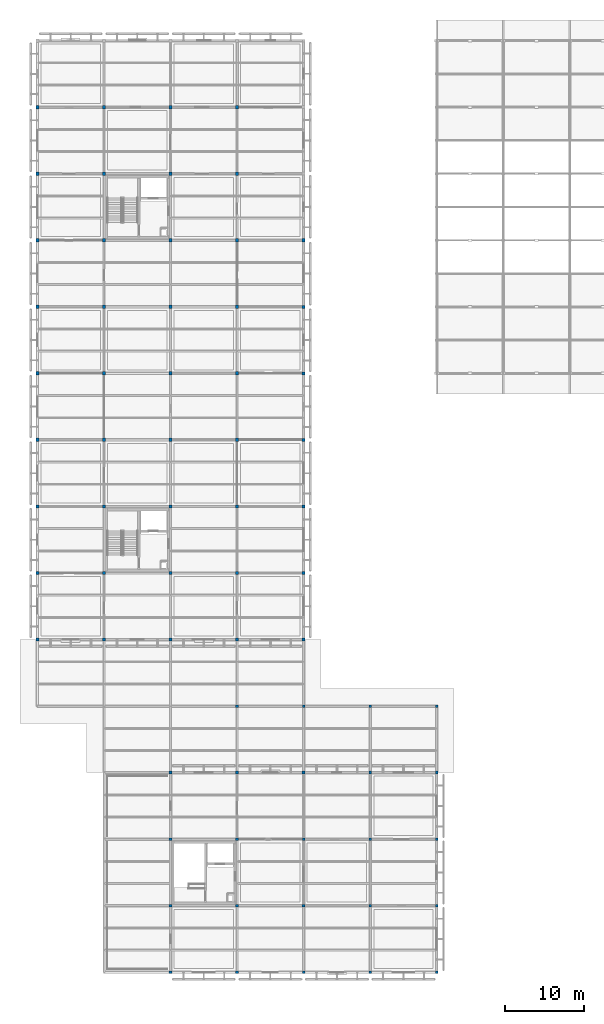
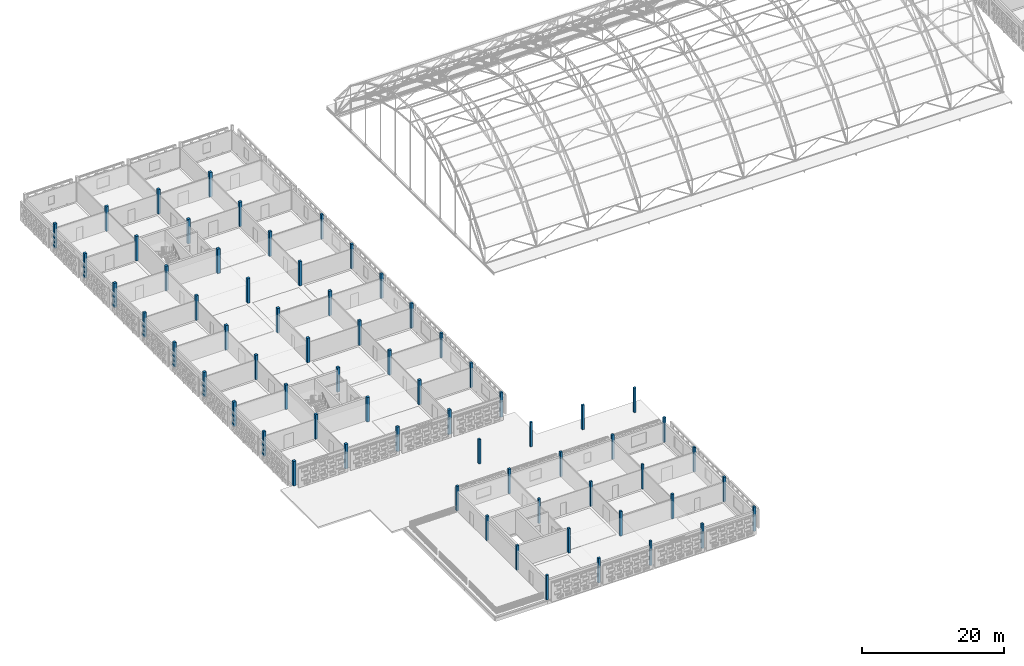
# One storey, part 1 of 103: 67 columns.
"""IFC4 building model written with IfcOpenShell, lengths in metres."""

from ifc_helpers import new_model, si_unit, direction, frame, origin, origin_2d, place, context, subcontext, project, spatial, rectangle, extrude, material, material_profile, profile_set, type_object, element, save


model = new_model("IFC4")

# Units and contexts
model_context = context("Model", 3, precision=1e-05, world=origin(), true_north=direction((0.0, 1.0)))
body_context = subcontext(model_context, "Body", "Model", "MODEL_VIEW")
ifc_project = project(units=[si_unit("LENGTHUNIT", "METRE"), si_unit("AREAUNIT", "SQUARE_METRE"), si_unit("VOLUMEUNIT", "CUBIC_METRE"), si_unit("PLANEANGLEUNIT", "RADIAN"), si_unit("MASSUNIT", "GRAM", prefix="KILO")], contexts=[model_context])

# Site, building, storey
site_placement = place(None, origin())
site = spatial("IfcSite", under=ifc_project, at=site_placement, CompositionType="ELEMENT")
building_placement = place(site_placement, origin())
building = spatial("IfcBuilding", under=site, at=building_placement, Name="Varnapada Polytechnic", CompositionType="ELEMENT")
storey_placement = place(building_placement, frame((0.0, 0.0, 18.0)))
storey = spatial("IfcBuildingStorey", under=building, at=storey_placement, Name="L04", CompositionType="ELEMENT", Elevation=18.0)

# Columns
ifc_material = material(Name="Glulam GL32h", Category="wood")
ifc_material_profile_1 = material_profile(ifc_material, rectangle(XDim=0.360107421875, YDim=0.360107421875, at=origin_2d()), Name="GL 360x360")
ifc_profile_set_1 = profile_set([ifc_material_profile_1], Name="Glulam GL32h")
column_type_1 = type_object("IfcColumnType", Name="Column C-14 (GL 360x360)", PredefinedType="COLUMN", material=ifc_profile_set_1)
for number, where, z_axis, x_axis, name in (
    (1, (16.800048828125, 16.800048828125, 0.0), (0.0, 0.0, 1.0), (1.0, 0.0, 0.0), "L04 column 3/3"),
    (2, (16.800048828125, 33.60009765625, 0.0), (0.0, 0.0, 1.0), (1.0, 0.0, 0.0), "L04 column 3/5"),
    (3, (25.199951171875, 16.800048828125, 0.0), (0.0, 0.0, 1.0), (1.0, 0.0, 0.0), "L04 column 4/3"),
    (4, (25.199951171875, 33.60009765625, 0.0), (0.0, 0.0, 1.0), (1.0, 0.0, 0.0), "L04 column 4/5"),
    (5, (33.60009765625, 16.800048828125, 0.0), (0.0, 0.0, 1.0), (1.0, 0.0, 0.0), "L04 column 5/3"),
    (6, (33.60009765625, 33.60009765625, 0.0), (0.0, 0.0, 1.0), (1.0, 0.0, 0.0), "L04 column 5/5"),
    (7, (33.60009765625, 50.39990234375, 0.0), (0.0, 0.0, 1.0), (1.0, 0.0, 0.0), "L04 column 5/7"),
    (8, (42.0, 16.800048828125, 0.0), (0.0, 0.0, 1.0), (1.0, 0.0, 0.0), "L04 column 6/3"),
    (9, (42.0, 33.60009765625, 0.0), (0.0, 0.0, 1.0), (1.0, 0.0, 0.0), "L04 column 6/5"),
    (10, (50.39990234375, 16.800048828125, 0.0), (0.0, 0.0, 1.0), (1.0, 0.0, 0.0), "L04 column 7/3"),
    (11, (50.39990234375, 33.60009765625, 0.0), (0.0, 0.0, 1.0), (1.0, 0.0, 0.0), "L04 column 7/5"),
):
    element("IfcColumn", number, at=place(storey_placement, frame(where, z_axis=z_axis, x_axis=x_axis)), inside=storey, type_object=column_type_1, Name=name, PredefinedType="COLUMN", context=body_context, shape_type="SweptSolid", body=[
        extrude(rectangle(XDim=0.360107421875, YDim=0.360107421875, at=origin_2d()), origin(), (0.0, 0.0, 1.0), 4.199951171875),
    ])
ifc_material_profile_2 = material_profile(ifc_material, rectangle(XDim=0.419921875, YDim=0.419921875, at=origin_2d()), Name="GL 420x420")
ifc_profile_set_2 = profile_set([ifc_material_profile_2], Name="Glulam GL32h")
column_type_2 = type_object("IfcColumnType", Name="Column C-23 (GL 420x420)", PredefinedType="COLUMN", material=ifc_profile_set_2)
for number, where, z_axis, x_axis, name in (
    (12, (0.0, 50.39990234375, 0.0), (0.0, 0.0, 1.0), (1.0, 0.0, 0.0), "L04 column 1/7"),
    (13, (0.0, 58.800048828125, 0.0), (0.0, 0.0, 1.0), (1.0, 0.0, 0.0), "L04 column 1/8"),
    (14, (0.0, 67.199951171875, 0.0), (0.0, 0.0, 1.0), (1.0, 0.0, 0.0), "L04 column 1/9"),
    (15, (0.0, 75.60009765625, 0.0), (0.0, 0.0, 1.0), (1.0, 0.0, 0.0), "L04 column 1/10"),
    (16, (0.0, 84.0, 0.0), (0.0, 0.0, 1.0), (1.0, 0.0, 0.0), "L04 column 1/11"),
    (17, (0.0, 92.39990234375, 0.0), (0.0, 0.0, 1.0), (1.0, 0.0, 0.0), "L04 column 1/12"),
    (18, (0.0, 100.800048828125, 0.0), (0.0, 0.0, 1.0), (1.0, 0.0, 0.0), "L04 column 1/13"),
    (19, (0.0, 109.199951171875, 0.0), (0.0, 0.0, 1.0), (1.0, 0.0, 0.0), "L04 column 1/14"),
    (20, (0.0, 117.60009765625, 0.0), (0.0, 0.0, 1.0), (1.0, 0.0, 0.0), "L04 column 1/15"),
    (21, (8.39990234375, 50.39990234375, 0.0), (0.0, 0.0, 1.0), (1.0, 0.0, 0.0), "L04 column 2/7"),
    (22, (8.39990234375, 58.800048828125, 0.0), (0.0, 0.0, 1.0), (1.0, 0.0, 0.0), "L04 column 2/8"),
    (23, (8.39990234375, 67.199951171875, 0.0), (0.0, 0.0, 1.0), (1.0, 0.0, 0.0), "L04 column 2/9"),
    (24, (8.39990234375, 75.60009765625, 0.0), (0.0, 0.0, 1.0), (1.0, 0.0, 0.0), "L04 column 2/10"),
    (25, (8.39990234375, 84.0, 0.0), (0.0, 0.0, 1.0), (1.0, 0.0, 0.0), "L04 column 2/11"),
    (26, (8.39990234375, 92.39990234375, 0.0), (0.0, 0.0, 1.0), (1.0, 0.0, 0.0), "L04 column 2/12"),
    (27, (8.39990234375, 100.800048828125, 0.0), (0.0, 0.0, 1.0), (1.0, 0.0, 0.0), "L04 column 2/13"),
    (28, (8.39990234375, 109.199951171875, 0.0), (0.0, 0.0, 1.0), (1.0, 0.0, 0.0), "L04 column 2/14"),
    (29, (8.39990234375, 117.60009765625, 0.0), (0.0, 0.0, 1.0), (1.0, 0.0, 0.0), "L04 column 2/15"),
    (30, (16.800048828125, 50.39990234375, 0.0), (0.0, 0.0, 1.0), (1.0, 0.0, 0.0), "L04 column 3/7"),
    (31, (16.800048828125, 58.800048828125, 0.0), (0.0, 0.0, 1.0), (1.0, 0.0, 0.0), "L04 column 3/8"),
    (32, (16.800048828125, 67.199951171875, 0.0), (0.0, 0.0, 1.0), (1.0, 0.0, 0.0), "L04 column 3/9"),
    (33, (16.800048828125, 75.60009765625, 0.0), (0.0, 0.0, 1.0), (1.0, 0.0, 0.0), "L04 column 3/10"),
    (34, (16.800048828125, 84.0, 0.0), (0.0, 0.0, 1.0), (1.0, 0.0, 0.0), "L04 column 3/11"),
    (35, (16.800048828125, 92.39990234375, 0.0), (0.0, 0.0, 1.0), (1.0, 0.0, 0.0), "L04 column 3/12"),
    (36, (16.800048828125, 100.800048828125, 0.0), (0.0, 0.0, 1.0), (1.0, 0.0, 0.0), "L04 column 3/13"),
    (37, (16.800048828125, 109.199951171875, 0.0), (0.0, 0.0, 1.0), (1.0, 0.0, 0.0), "L04 column 3/14"),
    (38, (16.800048828125, 117.60009765625, 0.0), (0.0, 0.0, 1.0), (1.0, 0.0, 0.0), "L04 column 3/15"),
    (39, (25.199951171875, 50.39990234375, 0.0), (0.0, 0.0, 1.0), (1.0, 0.0, 0.0), "L04 column 4/7"),
    (40, (25.199951171875, 58.800048828125, 0.0), (0.0, 0.0, 1.0), (1.0, 0.0, 0.0), "L04 column 4/8"),
    (41, (25.199951171875, 67.199951171875, 0.0), (0.0, 0.0, 1.0), (1.0, 0.0, 0.0), "L04 column 4/9"),
    (42, (25.199951171875, 75.60009765625, 0.0), (0.0, 0.0, 1.0), (1.0, 0.0, 0.0), "L04 column 4/10"),
    (43, (25.199951171875, 84.0, 0.0), (0.0, 0.0, 1.0), (1.0, 0.0, 0.0), "L04 column 4/11"),
    (44, (25.199951171875, 92.39990234375, 0.0), (0.0, 0.0, 1.0), (1.0, 0.0, 0.0), "L04 column 4/12"),
    (45, (25.199951171875, 100.800048828125, 0.0), (0.0, 0.0, 1.0), (1.0, 0.0, 0.0), "L04 column 4/13"),
    (46, (25.199951171875, 109.199951171875, 0.0), (0.0, 0.0, 1.0), (1.0, 0.0, 0.0), "L04 column 4/14"),
    (47, (25.199951171875, 117.60009765625, 0.0), (0.0, 0.0, 1.0), (1.0, 0.0, 0.0), "L04 column 4/15"),
):
    element("IfcColumn", number, at=place(storey_placement, frame(where, z_axis=z_axis, x_axis=x_axis)), inside=storey, type_object=column_type_2, Name=name, PredefinedType="COLUMN", context=body_context, shape_type="SweptSolid", body=[
        extrude(rectangle(XDim=0.419921875, YDim=0.419921875, at=origin_2d()), origin(), (0.0, 0.0, 1.0), 4.199951171875),
    ])
ifc_material_profile_3 = material_profile(ifc_material, rectangle(XDim=0.3798828125, YDim=0.3798828125, at=origin_2d()), Name="GL 380x380")
ifc_profile_set_3 = profile_set([ifc_material_profile_3], Name="Glulam GL32h")
column_type_3 = type_object("IfcColumnType", Name="Column C-24 (GL 380x380)", PredefinedType="COLUMN", material=ifc_profile_set_3)
for number, where, z_axis, x_axis, name in (
    (48, (33.60009765625, 58.800048828125, 0.0), (0.0, 0.0, 1.0), (1.0, 0.0, 0.0), "L04 column 5/8"),
    (49, (33.60009765625, 67.199951171875, 0.0), (0.0, 0.0, 1.0), (1.0, 0.0, 0.0), "L04 column 5/9"),
    (50, (33.60009765625, 75.60009765625, 0.0), (0.0, 0.0, 1.0), (1.0, 0.0, 0.0), "L04 column 5/10"),
    (51, (33.60009765625, 84.0, 0.0), (0.0, 0.0, 1.0), (1.0, 0.0, 0.0), "L04 column 5/11"),
    (52, (33.60009765625, 92.39990234375, 0.0), (0.0, 0.0, 1.0), (1.0, 0.0, 0.0), "L04 column 5/12"),
    (53, (33.60009765625, 100.800048828125, 0.0), (0.0, 0.0, 1.0), (1.0, 0.0, 0.0), "L04 column 5/13"),
):
    element("IfcColumn", number, at=place(storey_placement, frame(where, z_axis=z_axis, x_axis=x_axis)), inside=storey, type_object=column_type_3, Name=name, PredefinedType="COLUMN", context=body_context, shape_type="SweptSolid", body=[
        extrude(rectangle(XDim=0.3798828125, YDim=0.3798828125, at=origin_2d()), origin(), (0.0, 0.0, 1.0), 4.199951171875),
    ])
ifc_material_profile_4 = material_profile(ifc_material, rectangle(XDim=0.340087890625, YDim=0.340087890625, at=origin_2d()), Name="GL 340x340")
ifc_profile_set_4 = profile_set([ifc_material_profile_4], Name="Glulam GL32h")
column_type_4 = type_object("IfcColumnType", Name="Column C-27 (GL 340x340)", PredefinedType="COLUMN", material=ifc_profile_set_4)
for number, where, z_axis, x_axis, name in (
    (54, (16.800048828125, 8.39990234375, 0.0), (0.0, 0.0, 1.0), (1.0, 0.0, 0.0), "L04 column 3/2"),
    (55, (16.800048828125, 25.199951171875, 0.0), (0.0, 0.0, 1.0), (1.0, 0.0, 0.0), "L04 column 3/4"),
    (56, (25.199951171875, 8.39990234375, 0.0), (0.0, 0.0, 1.0), (1.0, 0.0, 0.0), "L04 column 4/2"),
    (57, (25.199951171875, 25.199951171875, 0.0), (0.0, 0.0, 1.0), (1.0, 0.0, 0.0), "L04 column 4/4"),
    (58, (25.199951171875, 42.0, 0.0), (0.0, 0.0, 1.0), (1.0, 0.0, 0.0), "L04 column 4/6"),
    (59, (33.60009765625, 8.39990234375, 0.0), (0.0, 0.0, 1.0), (1.0, 0.0, 0.0), "L04 column 5/2"),
    (60, (33.60009765625, 25.199951171875, 0.0), (0.0, 0.0, 1.0), (1.0, 0.0, 0.0), "L04 column 5/4"),
    (61, (33.60009765625, 42.0, 0.0), (0.0, 0.0, 1.0), (1.0, 0.0, 0.0), "L04 column 5/6"),
    (62, (42.0, 8.39990234375, 0.0), (0.0, 0.0, 1.0), (1.0, 0.0, 0.0), "L04 column 6/2"),
    (63, (42.0, 25.199951171875, 0.0), (0.0, 0.0, 1.0), (1.0, 0.0, 0.0), "L04 column 6/4"),
    (64, (42.0, 42.0, 0.0), (0.0, 0.0, 1.0), (1.0, 0.0, 0.0), "L04 column 6/6"),
    (65, (50.39990234375, 8.39990234375, 0.0), (0.0, 0.0, 1.0), (1.0, 0.0, 0.0), "L04 column 7/2"),
    (66, (50.39990234375, 25.199951171875, 0.0), (0.0, 0.0, 1.0), (1.0, 0.0, 0.0), "L04 column 7/4"),
    (67, (50.39990234375, 42.0, 0.0), (0.0, 0.0, 1.0), (1.0, 0.0, 0.0), "L04 column 7/6"),
):
    element("IfcColumn", number, at=place(storey_placement, frame(where, z_axis=z_axis, x_axis=x_axis)), inside=storey, type_object=column_type_4, Name=name, PredefinedType="COLUMN", context=body_context, shape_type="SweptSolid", body=[
        extrude(rectangle(XDim=0.340087890625, YDim=0.340087890625, at=origin_2d()), origin(), (0.0, 0.0, 1.0), 4.199951171875),
    ])

save(model, "model.ifc")
